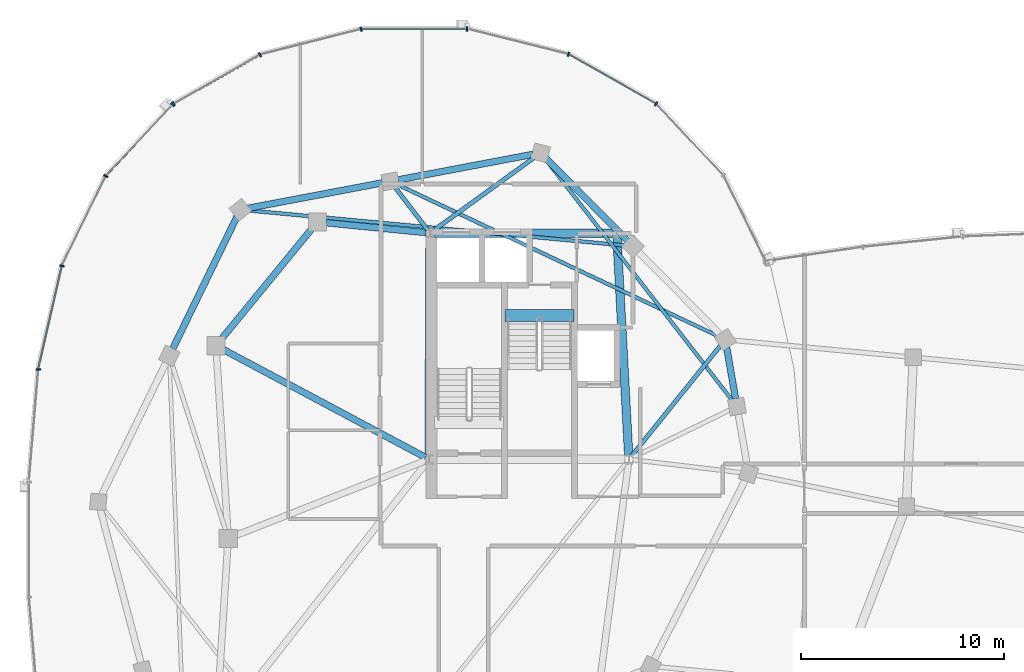
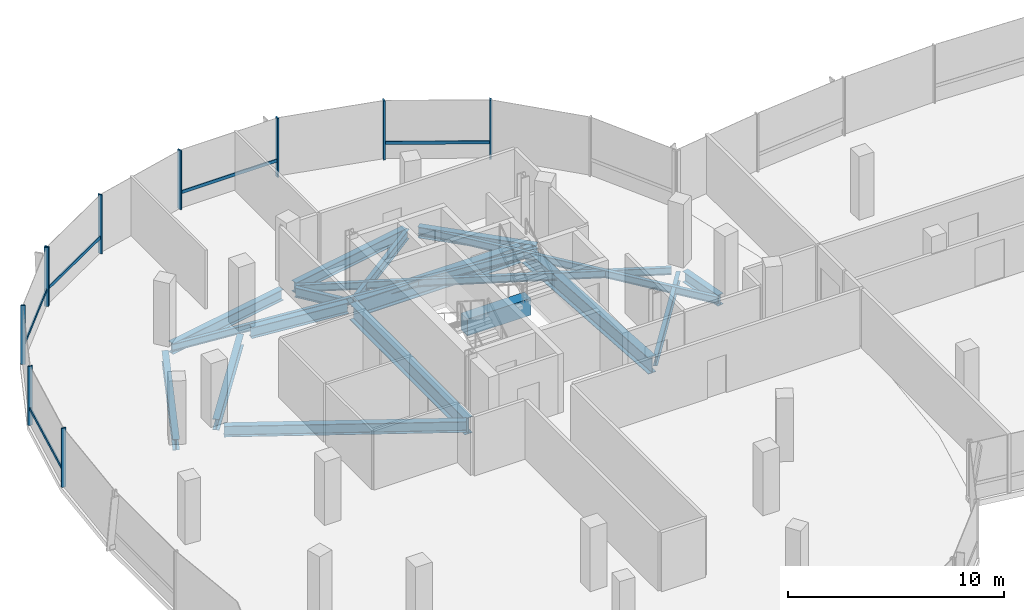
# One storey, part 6 of 24: 18 beams, 15 members, 2 elements without a shape of their own.
"""IFC4 building model written with IfcOpenShell, lengths in metres."""

from ifc_helpers import new_model, si_unit, direction, frame, origin, origin_2d, place, context, subcontext, project, spatial, rectangle, i_section, extrude, material, material_profile, profile_set, type_object, element, aggregate, save


model = new_model("IFC4")

# Units and contexts
model_context = context("Model", 3, precision=1e-05, world=origin(), true_north=direction((0.0, 1.0)))
body_context = subcontext(model_context, "Body", "Model", "MODEL_VIEW")
ifc_project = project(units=[si_unit("LENGTHUNIT", "METRE"), si_unit("AREAUNIT", "SQUARE_METRE"), si_unit("VOLUMEUNIT", "CUBIC_METRE"), si_unit("PLANEANGLEUNIT", "RADIAN"), si_unit("MASSUNIT", "GRAM", prefix="KILO"), si_unit("THERMODYNAMICTEMPERATUREUNIT", "KELVIN"), si_unit("POWERUNIT", "WATT")], contexts=[model_context])

# Site, building, storey
site_placement = place(None, origin())
site = spatial("IfcSite", under=ifc_project, at=site_placement, CompositionType="ELEMENT")
building_placement = place(site_placement, origin())
building = spatial("IfcBuilding", under=site, at=building_placement, Name="Cundina Bronze Exchange", CompositionType="ELEMENT")
storey_placement = place(building_placement, frame((0.0, 0.0, 268.39990234375)))
storey = spatial("IfcBuildingStorey", under=building, at=storey_placement, Name="L71", CompositionType="ELEMENT", Elevation=268.39990234375)

# Beams
ifc_material_1 = material(Name="Concrete C60/75", Category="concrete")
ifc_material_profile_1 = material_profile(ifc_material_1, rectangle(XDim=0.60009765625, YDim=0.949951171875, at=origin_2d()), Name="RC600X950", Category="concrete")
ifc_profile_set_1 = profile_set([ifc_material_profile_1], Name="Concrete C60/75")
beam_type_1 = type_object("IfcBeamType", Name="BM-COUP-RC950", PredefinedType="LINTEL", material=ifc_profile_set_1)
beam_1_placement = place(storey_placement, frame((-27.56005859375, 10.97998046875, -0.474853515625), z_axis=(1.0, 0.0, 0.0), x_axis=(0.0, 1.0, 0.0)))
element("IfcBeam", 1, at=beam_1_placement, inside=storey, type_object=beam_type_1, Name="L71 Stair W2 Landing Header Beam", PredefinedType="LINTEL", context=body_context, shape_type="SweptSolid", body=[
    extrude(rectangle(XDim=0.60009765625, YDim=0.949951171875, at=origin_2d()), origin(), (0.0, 0.0, 1.0), 3.400146484375),
])
ifc_material_2 = material(Name="Steel ASTM A992 Grade 50", Category="steel")
ifc_material_profile_2 = material_profile(ifc_material_2, i_section(OverallWidth=0.2119140625, OverallDepth=0.5439453125, WebThickness=0.01318359375, FlangeThickness=0.021240234375, FilletRadius=0.013916015625, at=origin_2d()), Name="W21X83", Category="steel")
ifc_profile_set_2 = profile_set([ifc_material_profile_2], Name="Steel ASTM A992 Grade 50")
beam_type_2 = type_object("IfcBeamType", Name="BM-FLR-W21A", PredefinedType="BEAM", material=ifc_profile_set_2)
beam_2_placement = place(storey_placement, frame((-21.3271484375, 4.052734375, -0.531982421875), z_axis=(0.627111236784, 0.778929712297, 0.0), x_axis=(-0.778929712297, 0.627111236784, 0.0)))
element("IfcBeam", 2, at=beam_2_placement, inside=storey, type_object=beam_type_2, Name="L71 Leg W Radial Floor Beam 02", PredefinedType="BEAM", context=body_context, shape_type="SweptSolid", body=[
    extrude(i_section(OverallWidth=0.2119140625, OverallDepth=0.5439453125, WebThickness=0.01318359375, FlangeThickness=0.021240234375, FilletRadius=0.013916015625, at=origin_2d()), origin(), (0.0, 0.0, 1.0), 6.990478515625),
])
beam_3_placement = place(storey_placement, frame((-31.09130859375, 15.1650390625, -0.531982421875), z_axis=(0.809701976545, 0.586841298119, 0.0), x_axis=(-0.586841298119, 0.809701976545, 0.0)))
element("IfcBeam", 3, at=beam_3_placement, inside=storey, type_object=beam_type_2, Name="L71 Leg W Radial Floor Beam 04", PredefinedType="BEAM", context=body_context, shape_type="SweptSolid", body=[
    extrude(i_section(OverallWidth=0.2119140625, OverallDepth=0.5439453125, WebThickness=0.01318359375, FlangeThickness=0.021240234375, FilletRadius=0.013916015625, at=origin_2d()), origin(), (0.0, 0.0, 1.0), 6.146728515625),
])
beam_4_placement = place(storey_placement, frame((-31.369140625, 15.205810546875, -0.531982421875), z_axis=(-0.607470812638, 0.794341999263, 0.0), x_axis=(-0.794341999263, -0.607470812638, 0.0)))
element("IfcBeam", 4, at=beam_4_placement, inside=storey, type_object=beam_type_2, Name="L71 Leg W Radial Floor Beam 05", PredefinedType="BEAM", context=body_context, shape_type="SweptSolid", body=[
    extrude(i_section(OverallWidth=0.2119140625, OverallDepth=0.5439453125, WebThickness=0.01318359375, FlangeThickness=0.021240234375, FilletRadius=0.013916015625, at=origin_2d()), origin(), (0.0, 0.0, 1.0), 2.6259765625),
])
ifc_material_profile_3 = material_profile(ifc_material_2, i_section(OverallWidth=0.178955078125, OverallDepth=0.409912109375, WebThickness=0.0087890625, FlangeThickness=0.014404296875, FilletRadius=0.010986328125, at=origin_2d()), Name="W16X45", Category="steel")
ifc_profile_set_3 = profile_set([ifc_material_profile_3], Name="Steel ASTM A992 Grade 50")
beam_type_3 = type_object("IfcBeamType", Name="BM-JST-W16", PredefinedType="JOIST", material=ifc_profile_set_3)
beam_5_placement = place(storey_placement, frame((-16.362548828125, 6.806884765625, -0.46484375), z_axis=(-0.612077855816, 0.790797507849, 0.0), x_axis=(-0.790797507849, -0.612077855816, 0.0)))
element("IfcBeam", 5, at=beam_5_placement, inside=storey, type_object=beam_type_3, Name="L71 Leg W Lobe Floor Joist 01-04", PredefinedType="JOIST", context=body_context, shape_type="SweptSolid", body=[
    extrude(i_section(OverallWidth=0.178955078125, OverallDepth=0.409912109375, WebThickness=0.0087890625, FlangeThickness=0.014404296875, FilletRadius=0.010986328125, at=origin_2d()), origin(), (0.0, 0.0, 1.0), 15.03076171875),
])
beam_6_placement = place(storey_placement, frame((-17.05078125, 9.9658203125, -0.46484375), z_axis=(-0.904073247994, 0.427377540661, 0.0), x_axis=(-0.427377540661, -0.904073247994, 0.0)))
element("IfcBeam", 6, at=beam_6_placement, inside=storey, type_object=beam_type_3, Name="L71 Leg W Lobe Floor Joist 02-05", PredefinedType="JOIST", context=body_context, shape_type="SweptSolid", body=[
    extrude(i_section(OverallWidth=0.178955078125, OverallDepth=0.409912109375, WebThickness=0.0087890625, FlangeThickness=0.014404296875, FilletRadius=0.010986328125, at=origin_2d()), origin(), (0.0, 0.0, 1.0), 17.474609375),
])
beam_7_placement = place(storey_placement, frame((-21.63623046875, 14.435791015625, -0.46484375), z_axis=(-0.995700514338, 0.092630911398, 0.0), x_axis=(-0.092630911398, -0.995700514338, 0.0)))
element("IfcBeam", 7, at=beam_7_placement, inside=storey, type_object=beam_type_3, Name="L71 Leg W Lobe Floor Joist 03-06", PredefinedType="JOIST", context=body_context, shape_type="SweptSolid", body=[
    extrude(i_section(OverallWidth=0.178955078125, OverallDepth=0.409912109375, WebThickness=0.0087890625, FlangeThickness=0.014404296875, FilletRadius=0.010986328125, at=origin_2d()), origin(), (0.0, 0.0, 1.0), 18.65771484375),
])
ifc_material_profile_4 = material_profile(ifc_material_2, i_section(OverallWidth=0.324951171875, OverallDepth=0.615966796875, WebThickness=0.013916015625, FlangeThickness=0.021484375, FilletRadius=0.01611328125, at=origin_2d()), Name="W24X117", Category="steel")
ifc_profile_set_4 = profile_set([ifc_material_profile_4], Name="Steel ASTM A992 Grade 50")
beam_type_4 = type_object("IfcBeamType", Name="BM-RING-W24", PredefinedType="USERDEFINED", material=ifc_profile_set_4)
beam_8_placement = place(storey_placement, frame((-31.445068359375, 15.0693359375, -0.56787109375), z_axis=(-0.995123854478, 0.09863323096, 0.0), x_axis=(-0.09863323096, -0.995123854478, 0.0)))
element("IfcBeam", 8, at=beam_8_placement, inside=storey, type_object=beam_type_4, Name="L71 W Inner Structural Ring Girder 01", ObjectType="GIRDER", PredefinedType="USERDEFINED", context=body_context, shape_type="SweptSolid", body=[
    extrude(i_section(OverallWidth=0.324951171875, OverallDepth=0.615966796875, WebThickness=0.013916015625, FlangeThickness=0.021484375, FilletRadius=0.01611328125, at=origin_2d()), origin(), (0.0, 0.0, 1.0), 4.943115234375),
])
beam_9_placement = place(storey_placement, frame((-37.07763671875, 15.26123046875, -0.56787109375), z_axis=(-0.633912590175, -0.77340469873, 0.0), x_axis=(0.77340469873, -0.633912590175, 0.0)))
element("IfcBeam", 9, at=beam_9_placement, inside=storey, type_object=beam_type_4, Name="L71 W Inner Structural Ring Girder 02", ObjectType="GIRDER", PredefinedType="USERDEFINED", context=body_context, shape_type="SweptSolid", body=[
    extrude(i_section(OverallWidth=0.324951171875, OverallDepth=0.615966796875, WebThickness=0.013916015625, FlangeThickness=0.021484375, FilletRadius=0.01611328125, at=origin_2d()), origin(), (0.0, 0.0, 1.0), 7.01123046875),
])
beam_10_placement = place(storey_placement, frame((-31.472900390625, 3.9921875, -0.56787109375), z_axis=(-0.882350541683, 0.470592734317, 0.0), x_axis=(-0.470592734317, -0.882350541683, 0.0)))
element("IfcBeam", 10, at=beam_10_placement, inside=storey, type_object=beam_type_4, Name="L71 W Core-to-Waist Tie Beam 2", ObjectType="GIRDER", PredefinedType="USERDEFINED", context=body_context, shape_type="SweptSolid", body=[
    extrude(i_section(OverallWidth=0.324951171875, OverallDepth=0.615966796875, WebThickness=0.013916015625, FlangeThickness=0.021484375, FilletRadius=0.01611328125, at=origin_2d()), origin(), (0.0, 0.0, 1.0), 11.26611328125),
])
beam_11_placement = place(storey_placement, frame((-16.191650390625, 6.882080078125, -0.56787109375), z_axis=(-0.171593362587, 0.985167862811, 0.0), x_axis=(-0.985167862811, -0.171593362587, 0.0)))
element("IfcBeam", 11, at=beam_11_placement, inside=storey, type_object=beam_type_4, Name="L71 W Perimeter Ring Girder 01", ObjectType="GIRDER", PredefinedType="USERDEFINED", context=body_context, shape_type="SweptSolid", body=[
    extrude(i_section(OverallWidth=0.324951171875, OverallDepth=0.615966796875, WebThickness=0.013916015625, FlangeThickness=0.021484375, FilletRadius=0.01611328125, at=origin_2d()), origin(), (0.0, 0.0, 1.0), 2.57373046875),
])
beam_12_placement = place(storey_placement, frame((-21.52294921875, 14.67578125, -0.56787109375), z_axis=(-0.703215820204, 0.710976448425, 0.0), x_axis=(-0.710976448425, -0.703215820204, 0.0)))
element("IfcBeam", 12, at=beam_12_placement, inside=storey, type_object=beam_type_4, Name="L71 W Perimeter Ring Girder 03", ObjectType="GIRDER", PredefinedType="USERDEFINED", context=body_context, shape_type="SweptSolid", body=[
    extrude(i_section(OverallWidth=0.324951171875, OverallDepth=0.615966796875, WebThickness=0.013916015625, FlangeThickness=0.021484375, FilletRadius=0.01611328125, at=origin_2d()), origin(), (0.0, 0.0, 1.0), 5.694091796875),
])
beam_13_placement = place(storey_placement, frame((-26.18115234375, 18.927978515625, -0.56787109375), z_axis=(-0.982568104771, -0.185902984072, 0.0), x_axis=(0.185902984072, -0.982568104771, 0.0)))
element("IfcBeam", 13, at=beam_13_placement, inside=storey, type_object=beam_type_4, Name="L71 W Perimeter Ring Girder 04", ObjectType="GIRDER", PredefinedType="USERDEFINED", context=body_context, shape_type="SweptSolid", body=[
    extrude(i_section(OverallWidth=0.324951171875, OverallDepth=0.615966796875, WebThickness=0.013916015625, FlangeThickness=0.021484375, FilletRadius=0.01611328125, at=origin_2d()), origin(), (0.0, 0.0, 1.0), 6.75537109375),
])
beam_14_placement = place(storey_placement, frame((-33.581298828125, 17.52783203125, -0.56787109375), z_axis=(-0.982573456977, -0.185874693392, 0.0), x_axis=(0.185874693392, -0.982573456977, 0.0)))
element("IfcBeam", 14, at=beam_14_placement, inside=storey, type_object=beam_type_4, Name="L71 W Perimeter Ring Girder 05", ObjectType="GIRDER", PredefinedType="USERDEFINED", context=body_context, shape_type="SweptSolid", body=[
    extrude(i_section(OverallWidth=0.324951171875, OverallDepth=0.615966796875, WebThickness=0.013916015625, FlangeThickness=0.021484375, FilletRadius=0.01611328125, at=origin_2d()), origin(), (0.0, 0.0, 1.0), 6.755126953125),
])
beam_15_placement = place(storey_placement, frame((-40.76953125, 15.85107421875, -0.56787109375), z_axis=(-0.437216986791, -0.899356050995, 0.0), x_axis=(0.899356050995, -0.437216986791, 0.0)))
element("IfcBeam", 15, at=beam_15_placement, inside=storey, type_object=beam_type_4, Name="L71 W Perimeter Ring Girder 06", ObjectType="GIRDER", PredefinedType="USERDEFINED", context=body_context, shape_type="SweptSolid", body=[
    extrude(i_section(OverallWidth=0.324951171875, OverallDepth=0.615966796875, WebThickness=0.013916015625, FlangeThickness=0.021484375, FilletRadius=0.01611328125, at=origin_2d()), origin(), (0.0, 0.0, 1.0), 7.2294921875),
])
ifc_material_profile_5 = material_profile(ifc_material_2, i_section(OverallWidth=0.41796875, OverallDepth=0.927001953125, WebThickness=0.019287109375, FlangeThickness=0.031982421875, FilletRadius=0.02392578125, at=origin_2d()), Name="W36X231", Category="steel")
ifc_profile_set_5 = profile_set([ifc_material_profile_5], Name="Steel ASTM A992 Grade 50")
beam_type_5 = type_object("IfcBeamType", Name="BM-WRN-W36B", PredefinedType="USERDEFINED", material=ifc_profile_set_5)
beam_16_placement = place(storey_placement, frame((-21.46044921875, 4.095703125, -0.723388671875), z_axis=(-0.053749317644, 0.998554460634, 0.0), x_axis=(-0.998554460634, -0.053749317644, 0.0)))
element("IfcBeam", 16, at=beam_16_placement, inside=storey, type_object=beam_type_5, Name="L71 W Core Perimeter Tie Girder 2", ObjectType="GIRDER", PredefinedType="USERDEFINED", context=body_context, shape_type="SweptSolid", body=[
    extrude(i_section(OverallWidth=0.41796875, OverallDepth=0.927001953125, WebThickness=0.019287109375, FlangeThickness=0.031982421875, FilletRadius=0.02392578125, at=origin_2d()), origin(), (0.0, 0.0, 1.0), 10.774169921875),
])
beam_17_placement = place(storey_placement, frame((-22.24609375, 15.050048828125, -0.723388671875), z_axis=(-1.0, 0.0, 0.0), x_axis=(0.0, -1.0, 0.0)))
element("IfcBeam", 17, at=beam_17_placement, inside=storey, type_object=beam_type_5, Name="L71 W Core Perimeter Tie Girder 3", ObjectType="GIRDER", PredefinedType="USERDEFINED", context=body_context, shape_type="SweptSolid", body=[
    extrude(i_section(OverallWidth=0.41796875, OverallDepth=0.927001953125, WebThickness=0.019287109375, FlangeThickness=0.031982421875, FilletRadius=0.02392578125, at=origin_2d()), origin(), (0.0, 0.0, 1.0), 8.807861328125),
])
beam_18_placement = place(storey_placement, frame((-31.2509765625, 14.85400390625, -0.723388671875), z_axis=(-0.004470623654, -0.999990006712, 0.0), x_axis=(0.999990006712, -0.004470623654, 0.0)))
element("IfcBeam", 18, at=beam_18_placement, inside=storey, type_object=beam_type_5, Name="L71 W Core Perimeter Tie Girder 4", ObjectType="GIRDER", PredefinedType="USERDEFINED", context=body_context, shape_type="SweptSolid", body=[
    extrude(i_section(OverallWidth=0.41796875, OverallDepth=0.927001953125, WebThickness=0.019287109375, FlangeThickness=0.031982421875, FilletRadius=0.02392578125, at=origin_2d()), origin(), (0.0, 0.0, 1.0), 10.758056640625),
])

# Curtain wall, members
ifc_material_3 = material(Name="Anodised Bronze Aluminium 6063-T6", Category="aluminium")
curtain_wall_type = type_object("IfcCurtainWallType", Name="CWS-SKG-BRG", PredefinedType="NOTDEFINED", material=ifc_material_3)
curtain_wall_1_placement = place(storey_placement, origin())
curtain_wall_1 = element("IfcCurtainWall", 19, at=curtain_wall_1_placement, inside=storey, type_object=curtain_wall_type, Name="L71 CW-06 Curtain Wall Run CWR-L71-W1", PredefinedType="NOTDEFINED")
ifc_material_profile_6 = material_profile(ifc_material_3, rectangle(XDim=0.074951171875, YDim=0.219970703125, at=origin_2d()), Name="AL75X220", Category="aluminium")
ifc_profile_set_6 = profile_set([ifc_material_profile_6], Name="Anodised Bronze Aluminium 6063-T6")
member_type_1 = type_object("IfcMemberType", Name="CWM-MUL-220", PredefinedType="MULLION", material=ifc_profile_set_6)
member_1_placement = place(storey_placement, frame((-20.11083984375, 21.419921875, 0.0), z_axis=(0.0, 0.0, 1.0), x_axis=(-0.86958112538, 0.493790103568, 0.0)))
member_1 = element("IfcMember", 20, at=member_1_placement, type_object=member_type_1, Name="CW-06 Mullion 3", PredefinedType="MULLION", context=body_context, shape_type="SweptSolid", body=[
    extrude(rectangle(XDim=0.074951171875, YDim=0.219970703125, at=origin_2d()), origin(), (0.0, 0.0, 1.0), 3.340087890625),
])
member_2_placement = place(storey_placement, frame((-24.4296875, 23.86181640625, 0.0), z_axis=(0.0, 0.0, 1.0), x_axis=(-0.969744325821, 0.244122802168, 0.0)))
member_2 = element("IfcMember", 21, at=member_2_placement, type_object=member_type_1, Name="CW-06 Mullion 4", PredefinedType="MULLION", context=body_context, shape_type="SweptSolid", body=[
    extrude(rectangle(XDim=0.074951171875, YDim=0.219970703125, at=origin_2d()), origin(), (0.0, 0.0, 1.0), 3.340087890625),
])
member_3_placement = place(storey_placement, frame((-29.423583984375, 25.110107421875, 0.0), z_axis=(0.0, 0.0, 1.0), x_axis=(-1.0, 0.0, 0.0)))
member_3 = element("IfcMember", 22, at=member_3_placement, type_object=member_type_1, Name="CW-06 Mullion 5", PredefinedType="MULLION", context=body_context, shape_type="SweptSolid", body=[
    extrude(rectangle(XDim=0.074951171875, YDim=0.219970703125, at=origin_2d()), origin(), (0.0, 0.0, 1.0), 3.340087890625),
])
member_4_placement = place(storey_placement, frame((-34.648193359375, 25.10107421875, 0.0), z_axis=(0.0, 0.0, 1.0), x_axis=(-0.969744325821, -0.244122802168, 0.0)))
member_4 = element("IfcMember", 23, at=member_4_placement, type_object=member_type_1, Name="CW-06 Mullion 6", PredefinedType="MULLION", context=body_context, shape_type="SweptSolid", body=[
    extrude(rectangle(XDim=0.074951171875, YDim=0.219970703125, at=origin_2d()), origin(), (0.0, 0.0, 1.0), 3.340087890625),
])
member_5_placement = place(storey_placement, frame((-39.634521484375, 23.8359375, 0.0), z_axis=(0.0, 0.0, 1.0), x_axis=(-0.86958112538, -0.493790103568, 0.0)))
member_5 = element("IfcMember", 24, at=member_5_placement, type_object=member_type_1, Name="CW-06 Mullion 7", PredefinedType="MULLION", context=body_context, shape_type="SweptSolid", body=[
    extrude(rectangle(XDim=0.074951171875, YDim=0.219970703125, at=origin_2d()), origin(), (0.0, 0.0, 1.0), 3.340087890625),
])
member_6_placement = place(storey_placement, frame((-43.88916015625, 21.419921875, 0.0), z_axis=(0.0, 0.0, 1.0), x_axis=(-0.86958112538, -0.493790103568, 0.0)))
member_6 = element("IfcMember", 25, at=member_6_placement, type_object=member_type_1, Name="CW-06 End Mullion", PredefinedType="MULLION", context=body_context, shape_type="SweptSolid", body=[
    extrude(rectangle(XDim=0.074951171875, YDim=0.219970703125, at=origin_2d()), origin(), (0.0, 0.0, 1.0), 3.340087890625),
])

curtain_wall_2_placement = place(storey_placement, origin())
curtain_wall_2 = element("IfcCurtainWall", 26, at=curtain_wall_2_placement, inside=storey, type_object=curtain_wall_type, Name="L71 CW-06 Curtain Wall Run CWR-L71-W2", PredefinedType="NOTDEFINED")
member_7_placement = place(storey_placement, frame((-43.940185546875, 21.3798828125, 0.0), z_axis=(0.0, 0.0, 1.0), x_axis=(-0.684292606175, -0.729207535023, 0.0)))
member_7 = element("IfcMember", 27, at=member_7_placement, type_object=member_type_1, Name="CW-06 Mullion 1", PredefinedType="MULLION", context=body_context, shape_type="SweptSolid", body=[
    extrude(rectangle(XDim=0.074951171875, YDim=0.219970703125, at=origin_2d()), origin(), (0.0, 0.0, 1.0), 3.340087890625),
])
member_8_placement = place(storey_placement, frame((-47.2333984375, 17.856689453125, 0.0), z_axis=(0.0, 0.0, 1.0), x_axis=(-0.440566004113, -0.897720221461, 0.0)))
member_8 = element("IfcMember", 28, at=member_8_placement, type_object=member_type_1, Name="CW-06 Mullion 2", PredefinedType="MULLION", context=body_context, shape_type="SweptSolid", body=[
    extrude(rectangle(XDim=0.074951171875, YDim=0.219970703125, at=origin_2d()), origin(), (0.0, 0.0, 1.0), 3.340087890625),
])
member_9_placement = place(storey_placement, frame((-49.39404296875, 13.433837890625, 0.0), z_axis=(0.0, 0.0, 1.0), x_axis=(-0.223250116011, -0.974761194191, 0.0)))
member_9 = element("IfcMember", 29, at=member_9_placement, type_object=member_type_1, Name="CW-06 Mullion 3", PredefinedType="MULLION", context=body_context, shape_type="SweptSolid", body=[
    extrude(rectangle(XDim=0.074951171875, YDim=0.219970703125, at=origin_2d()), origin(), (0.0, 0.0, 1.0), 3.340087890625),
])
member_10_placement = place(storey_placement, frame((-50.557861328125, 8.32568359375, 0.0), z_axis=(0.0, 0.0, 1.0), x_axis=(-0.083677843332, -0.99649285925, 0.0)))
member_10 = element("IfcMember", 30, at=member_10_placement, type_object=member_type_1, Name="CW-06 Mullion 4", PredefinedType="MULLION", context=body_context, shape_type="SweptSolid", body=[
    extrude(rectangle(XDim=0.074951171875, YDim=0.219970703125, at=origin_2d()), origin(), (0.0, 0.0, 1.0), 3.340087890625),
])

# Member
ifc_material_profile_7 = material_profile(ifc_material_3, rectangle(XDim=0.070068359375, YDim=0.179931640625, at=origin_2d()), Name="AL70X180", Category="aluminium")
ifc_profile_set_7 = profile_set([ifc_material_profile_7], Name="Anodised Bronze Aluminium 6063-T6")
member_type_2 = type_object("IfcMemberType", Name="CWM-TRN-180", PredefinedType="USERDEFINED", material=ifc_profile_set_7)
member_11_placement = place(storey_placement, frame((-20.146728515625, 21.440185546875, 0.920166015625), z_axis=(-0.869557366176, 0.493831941989, 0.0), x_axis=(-0.493831941989, -0.869557366176, 0.0)))
member_11 = element("IfcMember", 31, at=member_11_placement, type_object=member_type_2, Name="CW-06 Spandrel Transom 3", ObjectType="TRANSOM", PredefinedType="USERDEFINED", context=body_context, shape_type="SweptSolid", body=[
    extrude(rectangle(XDim=0.070068359375, YDim=0.179931640625, at=origin_2d()), origin(), (0.0, 0.0, 1.0), 4.892822265625),
])

member_12_placement = place(storey_placement, frame((-29.464599609375, 25.110107421875, 0.920166015625), z_axis=(-1.0, 0.0, 0.0), x_axis=(0.0, -1.0, 0.0)))
member_12 = element("IfcMember", 32, at=member_12_placement, type_object=member_type_2, Name="CW-06 Spandrel Transom 5", ObjectType="TRANSOM", PredefinedType="USERDEFINED", context=body_context, shape_type="SweptSolid", body=[
    extrude(rectangle(XDim=0.070068359375, YDim=0.179931640625, at=origin_2d()), origin(), (0.0, 0.0, 1.0), 5.1533203125),
])

member_13_placement = place(storey_placement, frame((-39.67041015625, 23.815673828125, 0.920166015625), z_axis=(-0.869558105282, -0.493830640542, 0.0), x_axis=(0.493830640542, -0.869558105282, 0.0)))
member_13 = element("IfcMember", 33, at=member_13_placement, type_object=member_type_2, Name="CW-06 Spandrel Transom 7", ObjectType="TRANSOM", PredefinedType="USERDEFINED", context=body_context, shape_type="SweptSolid", body=[
    extrude(rectangle(XDim=0.070068359375, YDim=0.179931640625, at=origin_2d()), origin(), (0.0, 0.0, 1.0), 4.810302734375),
])

aggregate(curtain_wall_1, [member_1, member_11, member_2, member_3, member_12, member_4, member_5, member_6, member_13])

member_14_placement = place(storey_placement, frame((-43.968505859375, 21.349609375, 0.920166015625), z_axis=(-0.684328474899, -0.729173873944, 0.0), x_axis=(0.729173873944, -0.684328474899, 0.0)))
member_14 = element("IfcMember", 34, at=member_14_placement, type_object=member_type_2, Name="CW-06 Spandrel Transom 1", ObjectType="TRANSOM", PredefinedType="USERDEFINED", context=body_context, shape_type="SweptSolid", body=[
    extrude(rectangle(XDim=0.070068359375, YDim=0.179931640625, at=origin_2d()), origin(), (0.0, 0.0, 1.0), 4.758056640625),
])

member_15_placement = place(storey_placement, frame((-49.4033203125, 13.3935546875, 0.920166015625), z_axis=(-0.223257048806, -0.974759606343, 0.0), x_axis=(0.974759606343, -0.223257048806, 0.0)))
member_15 = element("IfcMember", 35, at=member_15_placement, type_object=member_type_2, Name="CW-06 Spandrel Transom 3", ObjectType="TRANSOM", PredefinedType="USERDEFINED", context=body_context, shape_type="SweptSolid", body=[
    extrude(rectangle(XDim=0.070068359375, YDim=0.179931640625, at=origin_2d()), origin(), (0.0, 0.0, 1.0), 5.15283203125),
])

aggregate(curtain_wall_2, [member_7, member_14, member_8, member_9, member_15, member_10])

save(model, "model.ifc")
